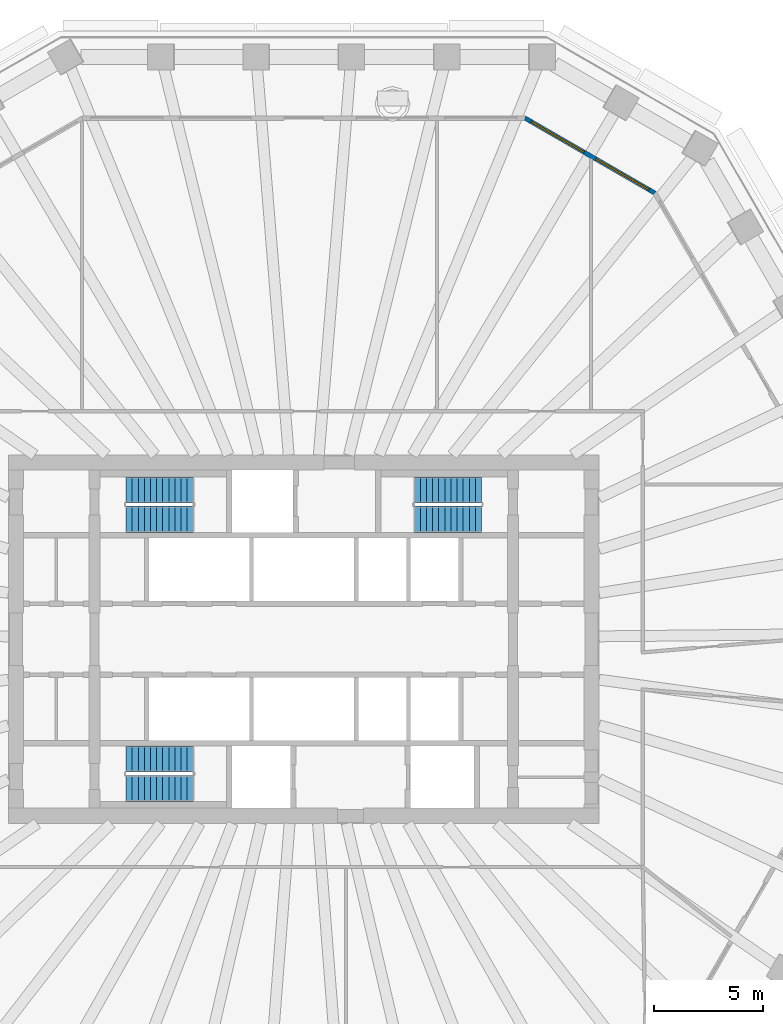
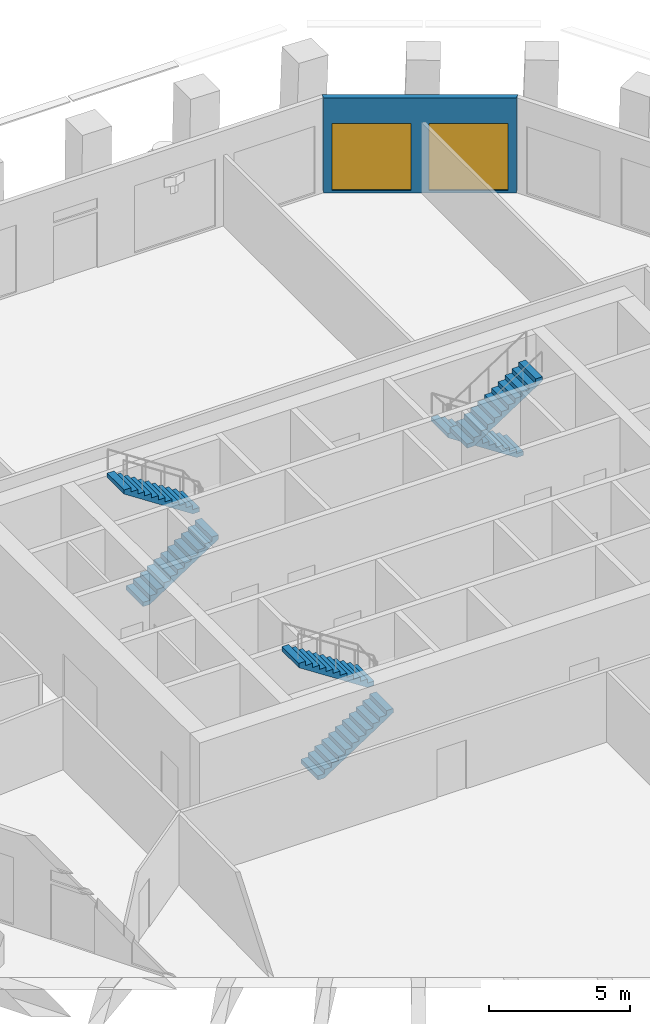
# One storey, part 8 of 12: 6 stair flights, 2 windows, 1 wall, 2 openings, 3 elements without a shape of their own.
"""IFC4 building model written with IfcOpenShell, lengths in metres."""

from ifc_helpers import new_model, si_unit, direction, frame, frame_2d, origin, place, context, subcontext, project, spatial, polyline, rectangle, outline, extrude, material, layer, layer_set, type_object, element, fill, aggregate, save


model = new_model("IFC4")

# Units and contexts
model_context = context("Model", 3, precision=1e-05, world=origin(), true_north=direction((0.0, 1.0)))
body_context = subcontext(model_context, "Body", "Model", "MODEL_VIEW")
ifc_project = project(units=[si_unit("LENGTHUNIT", "METRE"), si_unit("AREAUNIT", "SQUARE_METRE"), si_unit("VOLUMEUNIT", "CUBIC_METRE"), si_unit("PLANEANGLEUNIT", "RADIAN"), si_unit("MASSUNIT", "GRAM", prefix="KILO")], contexts=[model_context])

# Site, building, storey
site_placement = place(None, origin())
site = spatial("IfcSite", under=ifc_project, at=site_placement, CompositionType="ELEMENT")
building_placement = place(site_placement, origin())
building = spatial("IfcBuilding", under=site, at=building_placement, Name="Frailejon Research Tower", CompositionType="ELEMENT")
storey_placement = place(building_placement, frame((0.0, 0.0, 154.0)))
storey = spatial("IfcBuildingStorey", under=building, at=storey_placement, Name="L33", CompositionType="ELEMENT", Elevation=154.0)

# Wall, openings, windows
ifc_material_1 = material(Name="Concrete C40/50 precast window wall panel", Category="concrete")
ifc_layer_1 = layer(ifc_material_1, 0.199951171875)
ifc_layer_set_1 = layer_set([ifc_layer_1], Name="Window wall 200")
wall_type = type_object("IfcWallType", Name="Window wall 200", PredefinedType="SOLIDWALL", material=ifc_layer_set_1)
wall_placement = place(storey_placement, frame((16.1025390625, 20.462646484375, 0.0), z_axis=(0.0, 0.0, 1.0), x_axis=(-0.866029458321, 0.49999297727, 0.0)))
wall = element("IfcWall", 1, at=wall_placement, inside=storey, type_object=wall_type, Name="Exterior wall L33", PredefinedType="SOLIDWALL", context=body_context, shape_type="SweptSolid", body=[
    extrude(outline(polyline([(-0.02685546875, -0.10009765625), (1.1279296875, -0.10009765625), (2.282470703125, -0.10009765625), (3.437255859375, -0.10009765625), (4.592041015625, -0.10009765625), (5.74658203125, -0.10009765625), (6.9013671875, -0.10009765625), (6.84765625, 0.10009765625), (5.7109375, 0.10009765625), (4.573974609375, 0.10009765625), (3.437255859375, 0.10009765625), (2.300537109375, 0.10009765625), (1.16357421875, 0.10009765625), (0.02685546875, 0.10009765625), (-0.02685546875, -0.10009765625)])), origin(), (0.0, 0.0, 1.0), 4.10009765625),
])
opening_1_placement = place(wall_placement, frame((0.318603515625, 0.0, 0.10009765625)))
opening_1 = element("IfcOpeningElement", 2, at=opening_1_placement, cuts=wall, Name="Opening W3", PredefinedType="OPENING", context=body_context, shape_type="SweptSolid", body=[
    extrude(rectangle(XDim=2.800048828125, YDim=2.89990234375, at=frame_2d((1.39990234375, 1.449951171875))), frame((0.0, 0.10986328125, 0.0), z_axis=(0.0, -1.0, 0.0), x_axis=(1.0, 0.0, 0.0)), (0.0, 0.0, 1.0), 0.219970703125),
])
opening_2_placement = place(wall_placement, frame((3.756103515625, 0.0, 0.10009765625)))
opening_2 = element("IfcOpeningElement", 3, at=opening_2_placement, cuts=wall, Name="Opening W3", PredefinedType="OPENING", context=body_context, shape_type="SweptSolid", body=[
    extrude(rectangle(XDim=2.800048828125, YDim=2.89990234375, at=frame_2d((1.39990234375, 1.449951171875))), frame((0.0, 0.10986328125, 0.0), z_axis=(0.0, -1.0, 0.0), x_axis=(1.0, 0.0, 0.0)), (0.0, 0.0, 1.0), 0.219970703125),
])
ifc_material_2 = material(Name="Aluminium framed double glazing", Category="aluminium")
window_type = type_object("IfcWindowType", Name="Window 2800x2900", PartitioningType="SINGLE_PANEL", PredefinedType="WINDOW", material=ifc_material_2)
window_1_placement = place(opening_1_placement, origin())
window_1 = element("IfcWindow", 4, at=window_1_placement, inside=storey, type_object=window_type, Name="Window L33", OverallHeight=2.89990234375, OverallWidth=2.800048828125, PartitioningType="SINGLE_PANEL", PredefinedType="WINDOW", context=body_context, shape_type="SweptSolid", body=[
    extrude(rectangle(XDim=2.800048828125, YDim=2.89990234375, at=frame_2d((1.39990234375, 1.449951171875))), frame((0.0, 0.030029296875, 0.0), z_axis=(0.0, -1.0, 0.0), x_axis=(1.0, 0.0, 0.0)), (0.0, 0.0, 1.0), 0.06005859375),
])
fill(opening_1, window_1)
window_2_placement = place(opening_2_placement, origin())
window_2 = element("IfcWindow", 5, at=window_2_placement, inside=storey, type_object=window_type, Name="Window L33", OverallHeight=2.89990234375, OverallWidth=2.800048828125, PartitioningType="SINGLE_PANEL", PredefinedType="WINDOW", context=body_context, shape_type="SweptSolid", body=[
    extrude(rectangle(XDim=2.800048828125, YDim=2.89990234375, at=frame_2d((1.39990234375, 1.449951171875))), frame((0.0, 0.030029296875, 0.0), z_axis=(0.0, -1.0, 0.0), x_axis=(1.0, 0.0, 0.0)), (0.0, 0.0, 1.0), 0.06005859375),
])
fill(opening_2, window_2)

# Stair, stair flights
ifc_material_3 = material(Name="Concrete C50/60", Category="concrete")
stair_type = type_object("IfcStairType", Name="Exit stair 24 risers", PredefinedType="HALF_TURN_STAIR", material=ifc_material_3)
stair_1_placement = place(storey_placement, origin())
stair_1 = element("IfcStair", 6, at=stair_1_placement, inside=storey, type_object=stair_type, Name="L33 Exit stair ST1", PredefinedType="HALF_TURN_STAIR")
ifc_material_4 = material(Name="Concrete C50/60", Category="concrete")
ifc_layer_2 = layer(ifc_material_4, 0.14990234375)
ifc_layer_set_2 = layer_set([ifc_layer_2], Name="Stair flight 12 risers")
stair_flight_type = type_object("IfcStairFlightType", Name="Stair flight 12 risers", PredefinedType="STRAIGHT", material=ifc_layer_set_2)
stair_flight_1_placement = place(storey_placement, frame((-8.14990234375, 5.5, 0.0), z_axis=(0.0, 0.0, 1.0), x_axis=(1.0, 0.0, 0.0)))
stair_flight_1 = element("IfcStairFlight", 7, at=stair_flight_1_placement, type_object=stair_flight_type, Name="ST1 flight 1", NumberOfRisers=12, NumberOfTreads=11, PredefinedType="STRAIGHT", RiserHeight=0.183333333, TreadLength=0.28, context=body_context, shape_type="SweptSolid", body=[
    extrude(outline(polyline([(0.0, 0.0), (0.0, 0.183349609375), (0.280029296875, 0.183349609375), (0.280029296875, 0.36669921875), (0.56005859375, 0.36669921875), (0.56005859375, 0.550048828125), (0.840087890625, 0.550048828125), (0.840087890625, 0.7333984375), (1.1201171875, 0.7333984375), (1.1201171875, 0.916748046875), (1.39990234375, 0.916748046875), (1.39990234375, 1.10009765625), (1.679931640625, 1.10009765625), (1.679931640625, 1.283447265625), (1.9599609375, 1.283447265625), (1.9599609375, 1.466552734375), (2.239990234375, 1.466552734375), (2.239990234375, 1.64990234375), (2.52001953125, 1.64990234375), (2.52001953125, 1.833251953125), (2.800048828125, 1.833251953125), (2.800048828125, 2.0166015625), (3.080078125, 2.0166015625), (3.080078125, 2.199951171875), (3.080078125, 1.83740234375), (0.273681640625, 0.0), (0.0, 0.0)])), frame((0.0, 0.60009765625, 0.0), z_axis=(0.0, -1.0, 0.0), x_axis=(1.0, 0.0, 0.0)), (0.0, 0.0, 1.0), 1.199951171875),
])
stair_flight_2_placement = place(storey_placement, frame((-5.070068359375, 6.85009765625, 2.199951171875), z_axis=(0.0, 0.0, 1.0), x_axis=(-1.0, 0.0, 0.0)))
stair_flight_2 = element("IfcStairFlight", 8, at=stair_flight_2_placement, type_object=stair_flight_type, Name="ST1 flight 2", NumberOfRisers=12, NumberOfTreads=11, PredefinedType="STRAIGHT", RiserHeight=0.183333333, TreadLength=0.28, context=body_context, shape_type="SweptSolid", body=[
    extrude(outline(polyline([(0.0, 0.0), (0.0, 0.183349609375), (0.280029296875, 0.183349609375), (0.280029296875, 0.36669921875), (0.56005859375, 0.36669921875), (0.56005859375, 0.550048828125), (0.840087890625, 0.550048828125), (0.840087890625, 0.7333984375), (1.1201171875, 0.7333984375), (1.1201171875, 0.916748046875), (1.39990234375, 0.916748046875), (1.39990234375, 1.10009765625), (1.679931640625, 1.10009765625), (1.679931640625, 1.283447265625), (1.9599609375, 1.283447265625), (1.9599609375, 1.466552734375), (2.239990234375, 1.466552734375), (2.239990234375, 1.64990234375), (2.52001953125, 1.64990234375), (2.52001953125, 1.833251953125), (2.800048828125, 1.833251953125), (2.800048828125, 2.0166015625), (3.080078125, 2.0166015625), (3.080078125, 2.199951171875), (3.080078125, 1.83740234375), (0.273681640625, 0.0), (0.0, 0.0)])), frame((0.0, 0.60009765625, 0.0), z_axis=(0.0, -1.0, 0.0), x_axis=(1.0, 0.0, 0.0)), (0.0, 0.0, 1.0), 1.199951171875),
])
aggregate(stair_1, [stair_flight_1, stair_flight_2])

stair_2_placement = place(storey_placement, origin())
stair_2 = element("IfcStair", 9, at=stair_2_placement, inside=storey, type_object=stair_type, Name="L33 Exit stair ST2", PredefinedType="HALF_TURN_STAIR")
stair_flight_3_placement = place(storey_placement, frame((-8.14990234375, -6.85009765625, 0.0), z_axis=(0.0, 0.0, 1.0), x_axis=(1.0, 0.0, 0.0)))
stair_flight_3 = element("IfcStairFlight", 10, at=stair_flight_3_placement, type_object=stair_flight_type, Name="ST2 flight 1", NumberOfRisers=12, NumberOfTreads=11, PredefinedType="STRAIGHT", RiserHeight=0.183333333, TreadLength=0.28, context=body_context, shape_type="SweptSolid", body=[
    extrude(outline(polyline([(0.0, 0.0), (0.0, 0.183349609375), (0.280029296875, 0.183349609375), (0.280029296875, 0.36669921875), (0.56005859375, 0.36669921875), (0.56005859375, 0.550048828125), (0.840087890625, 0.550048828125), (0.840087890625, 0.7333984375), (1.1201171875, 0.7333984375), (1.1201171875, 0.916748046875), (1.39990234375, 0.916748046875), (1.39990234375, 1.10009765625), (1.679931640625, 1.10009765625), (1.679931640625, 1.283447265625), (1.9599609375, 1.283447265625), (1.9599609375, 1.466552734375), (2.239990234375, 1.466552734375), (2.239990234375, 1.64990234375), (2.52001953125, 1.64990234375), (2.52001953125, 1.833251953125), (2.800048828125, 1.833251953125), (2.800048828125, 2.0166015625), (3.080078125, 2.0166015625), (3.080078125, 2.199951171875), (3.080078125, 1.83740234375), (0.273681640625, 0.0), (0.0, 0.0)])), frame((0.0, 0.60009765625, 0.0), z_axis=(0.0, -1.0, 0.0), x_axis=(1.0, 0.0, 0.0)), (0.0, 0.0, 1.0), 1.199951171875),
])
stair_flight_4_placement = place(storey_placement, frame((-5.070068359375, -5.5, 2.199951171875), z_axis=(0.0, 0.0, 1.0), x_axis=(-1.0, 0.0, 0.0)))
stair_flight_4 = element("IfcStairFlight", 11, at=stair_flight_4_placement, type_object=stair_flight_type, Name="ST2 flight 2", NumberOfRisers=12, NumberOfTreads=11, PredefinedType="STRAIGHT", RiserHeight=0.183333333, TreadLength=0.28, context=body_context, shape_type="SweptSolid", body=[
    extrude(outline(polyline([(0.0, 0.0), (0.0, 0.183349609375), (0.280029296875, 0.183349609375), (0.280029296875, 0.36669921875), (0.56005859375, 0.36669921875), (0.56005859375, 0.550048828125), (0.840087890625, 0.550048828125), (0.840087890625, 0.7333984375), (1.1201171875, 0.7333984375), (1.1201171875, 0.916748046875), (1.39990234375, 0.916748046875), (1.39990234375, 1.10009765625), (1.679931640625, 1.10009765625), (1.679931640625, 1.283447265625), (1.9599609375, 1.283447265625), (1.9599609375, 1.466552734375), (2.239990234375, 1.466552734375), (2.239990234375, 1.64990234375), (2.52001953125, 1.64990234375), (2.52001953125, 1.833251953125), (2.800048828125, 1.833251953125), (2.800048828125, 2.0166015625), (3.080078125, 2.0166015625), (3.080078125, 2.199951171875), (3.080078125, 1.83740234375), (0.273681640625, 0.0), (0.0, 0.0)])), frame((0.0, 0.60009765625, 0.0), z_axis=(0.0, -1.0, 0.0), x_axis=(1.0, 0.0, 0.0)), (0.0, 0.0, 1.0), 1.199951171875),
])
aggregate(stair_2, [stair_flight_3, stair_flight_4])

stair_3_placement = place(storey_placement, origin())
stair_3 = element("IfcStair", 12, at=stair_3_placement, inside=storey, type_object=stair_type, Name="L33 Exit stair ST3", PredefinedType="HALF_TURN_STAIR")
stair_flight_5_placement = place(storey_placement, frame((8.14990234375, 6.85009765625, 0.0), z_axis=(0.0, 0.0, 1.0), x_axis=(-1.0, 0.0, 0.0)))
stair_flight_5 = element("IfcStairFlight", 13, at=stair_flight_5_placement, type_object=stair_flight_type, Name="ST3 flight 1", NumberOfRisers=12, NumberOfTreads=11, PredefinedType="STRAIGHT", RiserHeight=0.183333333, TreadLength=0.28, context=body_context, shape_type="SweptSolid", body=[
    extrude(outline(polyline([(0.0, 0.0), (0.0, 0.183349609375), (0.280029296875, 0.183349609375), (0.280029296875, 0.36669921875), (0.56005859375, 0.36669921875), (0.56005859375, 0.550048828125), (0.840087890625, 0.550048828125), (0.840087890625, 0.7333984375), (1.1201171875, 0.7333984375), (1.1201171875, 0.916748046875), (1.39990234375, 0.916748046875), (1.39990234375, 1.10009765625), (1.679931640625, 1.10009765625), (1.679931640625, 1.283447265625), (1.9599609375, 1.283447265625), (1.9599609375, 1.466552734375), (2.239990234375, 1.466552734375), (2.239990234375, 1.64990234375), (2.52001953125, 1.64990234375), (2.52001953125, 1.833251953125), (2.800048828125, 1.833251953125), (2.800048828125, 2.0166015625), (3.080078125, 2.0166015625), (3.080078125, 2.199951171875), (3.080078125, 1.83740234375), (0.273681640625, 0.0), (0.0, 0.0)])), frame((0.0, 0.60009765625, 0.0), z_axis=(0.0, -1.0, 0.0), x_axis=(1.0, 0.0, 0.0)), (0.0, 0.0, 1.0), 1.199951171875),
])
stair_flight_6_placement = place(storey_placement, frame((5.070068359375, 5.5, 2.199951171875), z_axis=(0.0, 0.0, 1.0), x_axis=(1.0, 0.0, 0.0)))
stair_flight_6 = element("IfcStairFlight", 14, at=stair_flight_6_placement, type_object=stair_flight_type, Name="ST3 flight 2", NumberOfRisers=12, NumberOfTreads=11, PredefinedType="STRAIGHT", RiserHeight=0.183333333, TreadLength=0.28, context=body_context, shape_type="SweptSolid", body=[
    extrude(outline(polyline([(0.0, 0.0), (0.0, 0.183349609375), (0.280029296875, 0.183349609375), (0.280029296875, 0.36669921875), (0.56005859375, 0.36669921875), (0.56005859375, 0.550048828125), (0.840087890625, 0.550048828125), (0.840087890625, 0.7333984375), (1.1201171875, 0.7333984375), (1.1201171875, 0.916748046875), (1.39990234375, 0.916748046875), (1.39990234375, 1.10009765625), (1.679931640625, 1.10009765625), (1.679931640625, 1.283447265625), (1.9599609375, 1.283447265625), (1.9599609375, 1.466552734375), (2.239990234375, 1.466552734375), (2.239990234375, 1.64990234375), (2.52001953125, 1.64990234375), (2.52001953125, 1.833251953125), (2.800048828125, 1.833251953125), (2.800048828125, 2.0166015625), (3.080078125, 2.0166015625), (3.080078125, 2.199951171875), (3.080078125, 1.83740234375), (0.273681640625, 0.0), (0.0, 0.0)])), frame((0.0, 0.60009765625, 0.0), z_axis=(0.0, -1.0, 0.0), x_axis=(1.0, 0.0, 0.0)), (0.0, 0.0, 1.0), 1.199951171875),
])
aggregate(stair_3, [stair_flight_5, stair_flight_6])

save(model, "model.ifc")
